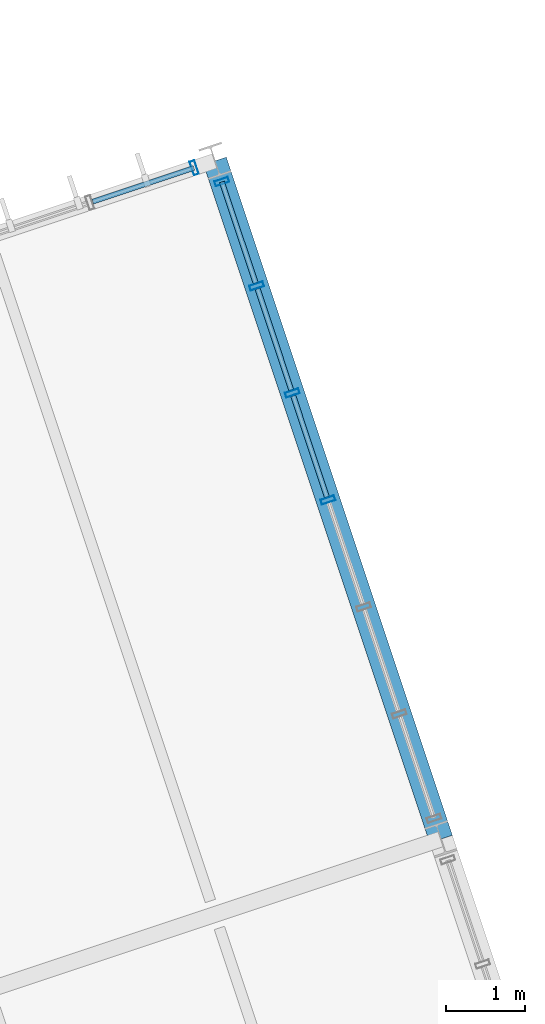
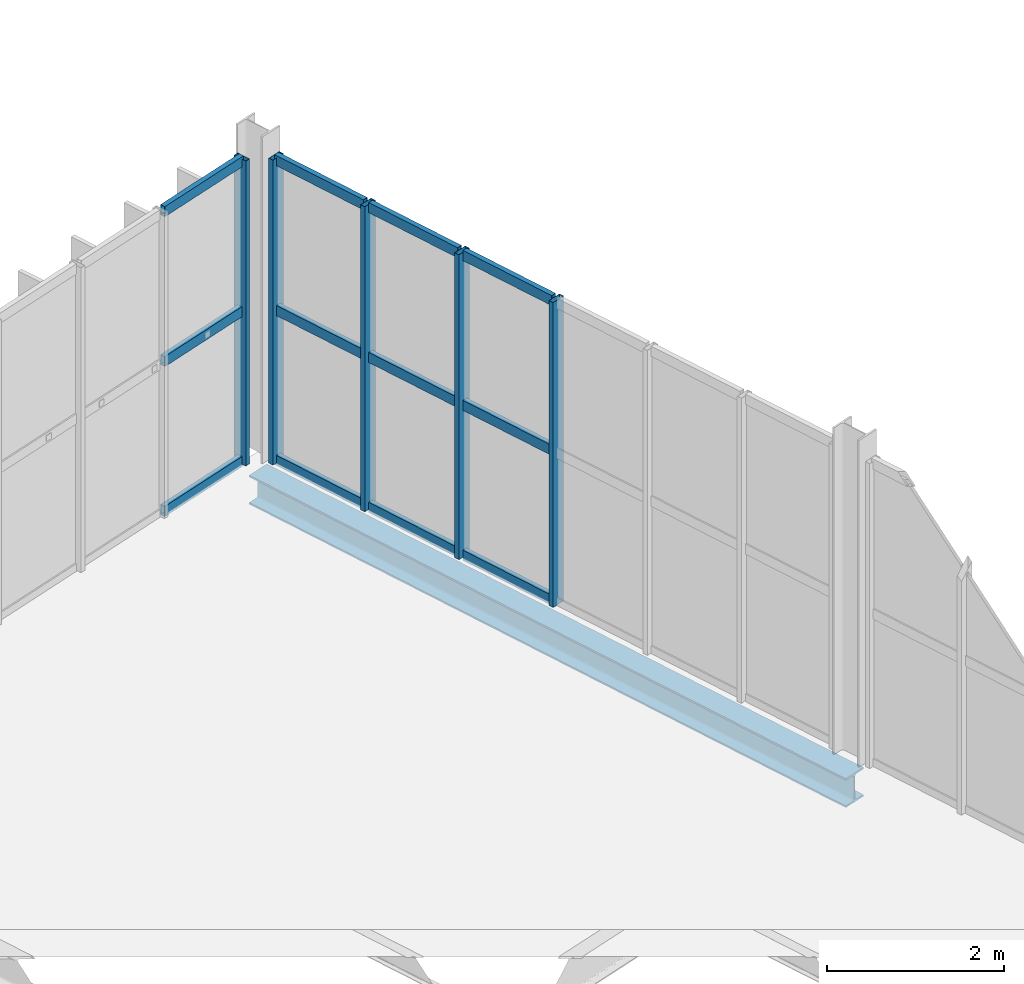
# One storey, part 93 of 152: 17 members, 1 beam, 2 elements without a shape of their own.
"""IFC4 building model written with IfcOpenShell, lengths in metres."""

from ifc_helpers import new_model, si_unit, derived_unit, direction, frame, origin, origin_2d, place, context, subcontext, project, spatial, hollow_rectangle, i_section, extrude, material, material_profile, profile_set, type_object, element, aggregate, save


model = new_model("IFC4")

# Units and contexts
model_context = context("Model", 3, precision=1e-05, world=origin(), true_north=direction((0.0, 1.0)))
body_context = subcontext(model_context, "Body", "Model", "MODEL_VIEW")
ifc_project = project(units=[si_unit("LENGTHUNIT", "METRE"), si_unit("AREAUNIT", "SQUARE_METRE"), si_unit("VOLUMEUNIT", "CUBIC_METRE"), si_unit("PLANEANGLEUNIT", "RADIAN"), si_unit("MASSUNIT", "GRAM", prefix="KILO"), si_unit("THERMODYNAMICTEMPERATUREUNIT", "KELVIN"), si_unit("TIMEUNIT", "SECOND"), derived_unit("THERMALTRANSMITTANCEUNIT", [(si_unit("MASSUNIT", "GRAM", prefix="KILO"), 1), (si_unit("THERMODYNAMICTEMPERATUREUNIT", "KELVIN"), -1), (si_unit("TIMEUNIT", "SECOND"), -3)])], contexts=[model_context])

# Site, building, storey
site_placement = place(None, origin())
site = spatial("IfcSite", under=ifc_project, at=site_placement, CompositionType="ELEMENT")
building_placement = place(site_placement, origin())
building = spatial("IfcBuilding", under=site, at=building_placement, Name="Cambertide Market Hall", CompositionType="ELEMENT")
storey_placement = place(building_placement, frame((0.0, 0.0, 5.39990234375)))
storey = spatial("IfcBuildingStorey", under=building, at=storey_placement, Name="L02", CompositionType="ELEMENT", Elevation=5.39990234375)

# Curtain wall, member
ifc_material_1 = material(Name="Marine Anodized Aluminium 6063-T6 AA25", Category="aluminium")
curtain_wall_type = type_object("IfcCurtainWallType", Name="Food Court Upper Glazed Facade", PredefinedType="USERDEFINED", material=ifc_material_1)
curtain_wall_1_placement = place(storey_placement, origin())
curtain_wall_1 = element("IfcCurtainWall", 1, at=curtain_wall_1_placement, inside=storey, type_object=curtain_wall_type, Name="Level 2 Curtain Wall CW-V3N-L02-7", ObjectType="UNITIZED CURTAIN WALL", PredefinedType="USERDEFINED")
ifc_material_2 = material(Name="Champagne Marine Anodized Aluminium 6063-T6 AA25", Category="aluminium")
ifc_material_profile_1 = material_profile(ifc_material_2, hollow_rectangle(XDim=0.06494140625, YDim=0.179931640625, WallThickness=0.00390625, at=origin_2d()), Name="ALU MULLION 65x180")
ifc_profile_set_1 = profile_set([ifc_material_profile_1], Name="Champagne Marine Anodized Aluminium 6063-T6 AA25")
member_type_1 = type_object("IfcMemberType", Name="Curtain Wall Mullion ALU MULLION 65x180", PredefinedType="MULLION", material=ifc_profile_set_1)
member_1_placement = place(storey_placement, frame((156.968017578125, 57.449951171875, 0.0), z_axis=(0.0, 0.0, 1.0), x_axis=(0.948683286311, 0.316227801236, 0.0)))
member_1 = element("IfcMember", 2, at=member_1_placement, type_object=member_type_1, Name="CW-V3N-L02-7 Mullion 7", PredefinedType="MULLION", context=body_context, shape_type="SweptSolid", body=[
    extrude(hollow_rectangle(XDim=0.06494140625, YDim=0.179931640625, WallThickness=0.00390625, at=origin_2d()), origin(), (0.0, 0.0, 1.0), 4.2001953125),
])

# Curtain wall, members
curtain_wall_2_placement = place(storey_placement, origin())
curtain_wall_2 = element("IfcCurtainWall", 3, at=curtain_wall_2_placement, inside=storey, type_object=curtain_wall_type, Name="Level 2 Curtain Wall CW-V3E-L02-3", ObjectType="UNITIZED CURTAIN WALL", PredefinedType="USERDEFINED")
member_2_placement = place(storey_placement, frame((157.31591796875, 57.27587890625, 0.0), z_axis=(0.0, 0.0, 1.0), x_axis=(0.3162277308, -0.948683309789, 0.0)))
member_2 = element("IfcMember", 4, at=member_2_placement, type_object=member_type_1, Name="CW-V3E-L02-3 Mullion 1", PredefinedType="MULLION", context=body_context, shape_type="SweptSolid", body=[
    extrude(hollow_rectangle(XDim=0.06494140625, YDim=0.179931640625, WallThickness=0.00390625, at=origin_2d()), origin(), (0.0, 0.0, 1.0), 4.2001953125),
])
member_3_placement = place(storey_placement, frame((157.75390625, 55.9619140625, 0.0), z_axis=(0.0, 0.0, 1.0), x_axis=(0.3162277308, -0.948683309789, 0.0)))
member_3 = element("IfcMember", 5, at=member_3_placement, type_object=member_type_1, Name="CW-V3E-L02-3 Mullion 2", PredefinedType="MULLION", context=body_context, shape_type="SweptSolid", body=[
    extrude(hollow_rectangle(XDim=0.06494140625, YDim=0.179931640625, WallThickness=0.00390625, at=origin_2d()), origin(), (0.0, 0.0, 1.0), 4.2001953125),
])
member_4_placement = place(storey_placement, frame((158.202880859375, 54.61474609375, 0.0), z_axis=(0.0, 0.0, 1.0), x_axis=(0.3162277308, -0.948683309789, 0.0)))
member_4 = element("IfcMember", 6, at=member_4_placement, type_object=member_type_1, Name="CW-V3E-L02-3 Mullion 3", PredefinedType="MULLION", context=body_context, shape_type="SweptSolid", body=[
    extrude(hollow_rectangle(XDim=0.06494140625, YDim=0.179931640625, WallThickness=0.00390625, at=origin_2d()), origin(), (0.0, 0.0, 1.0), 4.2001953125),
])
member_5_placement = place(storey_placement, frame((158.65185546875, 53.267822265625, 0.0), z_axis=(0.0, 0.0, 1.0), x_axis=(0.3162277308, -0.948683309789, 0.0)))
member_5 = element("IfcMember", 7, at=member_5_placement, type_object=member_type_1, Name="CW-V3E-L02-3 Mullion 4", PredefinedType="MULLION", context=body_context, shape_type="SweptSolid", body=[
    extrude(hollow_rectangle(XDim=0.06494140625, YDim=0.179931640625, WallThickness=0.00390625, at=origin_2d()), origin(), (0.0, 0.0, 1.0), 4.2001953125),
])

# Member
ifc_material_3 = material(Name="Champagne Marine Anodized Aluminium 6063-T6 AA25", Category="aluminium")
ifc_material_profile_2 = material_profile(ifc_material_3, hollow_rectangle(XDim=0.06494140625, YDim=0.139892578125, WallThickness=0.00341796875, at=origin_2d()), Name="ALU TRANSOM 65x140")
ifc_profile_set_2 = profile_set([ifc_material_profile_2], Name="Champagne Marine Anodized Aluminium 6063-T6 AA25")
member_type_2 = type_object("IfcMemberType", Name="Curtain Wall Transom ALU TRANSOM 65x140", PredefinedType="USERDEFINED", material=ifc_profile_set_2)
member_6_placement = place(storey_placement, frame((155.692138671875, 57.0244140625, 0.03515625), z_axis=(0.948665077442, 0.316282422593, 0.0), x_axis=(-0.316282422593, 0.948665077442, 0.0)))
member_6 = element("IfcMember", 8, at=member_6_placement, type_object=member_type_2, Name="CW-V3N-L02-7 Transom 1-6", ObjectType="TRANSOM", PredefinedType="USERDEFINED", context=body_context, shape_type="SweptSolid", body=[
    extrude(hollow_rectangle(XDim=0.06494140625, YDim=0.139892578125, WallThickness=0.00341796875, at=origin_2d()), origin(), (0.0, 0.0, 1.0), 1.340087890625),
])

member_7_placement = place(storey_placement, frame((155.692138671875, 57.0244140625, 2.10009765625), z_axis=(0.948665077442, 0.316282422593, 0.0), x_axis=(-0.316282422593, 0.948665077442, 0.0)))
member_7 = element("IfcMember", 9, at=member_7_placement, type_object=member_type_2, Name="CW-V3N-L02-7 Transom 2-6", ObjectType="TRANSOM", PredefinedType="USERDEFINED", context=body_context, shape_type="SweptSolid", body=[
    extrude(hollow_rectangle(XDim=0.06494140625, YDim=0.139892578125, WallThickness=0.00341796875, at=origin_2d()), origin(), (0.0, 0.0, 1.0), 1.340087890625),
])

member_8_placement = place(storey_placement, frame((155.692138671875, 57.0244140625, 4.1650390625), z_axis=(0.948665077442, 0.316282422593, 0.0), x_axis=(-0.316282422593, 0.948665077442, 0.0)))
member_8 = element("IfcMember", 10, at=member_8_placement, type_object=member_type_2, Name="CW-V3N-L02-7 Transom 3-6", ObjectType="TRANSOM", PredefinedType="USERDEFINED", context=body_context, shape_type="SweptSolid", body=[
    extrude(hollow_rectangle(XDim=0.06494140625, YDim=0.139892578125, WallThickness=0.00341796875, at=origin_2d()), origin(), (0.0, 0.0, 1.0), 1.340087890625),
])

aggregate(curtain_wall_1, [member_1, member_6, member_7, member_8])

member_9_placement = place(storey_placement, frame((157.3173828125, 57.271240234375, 0.03515625), z_axis=(0.316282422593, -0.948665077442, 0.0), x_axis=(0.948665077442, 0.316282422593, 0.0)))
member_9 = element("IfcMember", 11, at=member_9_placement, type_object=member_type_2, Name="CW-V3E-L02-3 Transom 1-1", ObjectType="TRANSOM", PredefinedType="USERDEFINED", context=body_context, shape_type="SweptSolid", body=[
    extrude(hollow_rectangle(XDim=0.06494140625, YDim=0.139892578125, WallThickness=0.00341796875, at=origin_2d()), origin(), (0.0, 0.0, 1.0), 1.340087890625),
])

member_10_placement = place(storey_placement, frame((157.7666015625, 55.924072265625, 0.03515625), z_axis=(0.316118443418, -0.948719731918, 0.0), x_axis=(0.948719731918, 0.316118443418, 0.0)))
member_10 = element("IfcMember", 12, at=member_10_placement, type_object=member_type_2, Name="CW-V3E-L02-3 Transom 1-2", ObjectType="TRANSOM", PredefinedType="USERDEFINED", context=body_context, shape_type="SweptSolid", body=[
    extrude(hollow_rectangle(XDim=0.06494140625, YDim=0.139892578125, WallThickness=0.00341796875, at=origin_2d()), origin(), (0.0, 0.0, 1.0), 1.33984375),
])

member_11_placement = place(storey_placement, frame((158.215576171875, 54.576904296875, 0.03515625), z_axis=(0.316118443418, -0.948719731918, 0.0), x_axis=(0.948719731918, 0.316118443418, 0.0)))
member_11 = element("IfcMember", 13, at=member_11_placement, type_object=member_type_2, Name="CW-V3E-L02-3 Transom 1-3", ObjectType="TRANSOM", PredefinedType="USERDEFINED", context=body_context, shape_type="SweptSolid", body=[
    extrude(hollow_rectangle(XDim=0.06494140625, YDim=0.139892578125, WallThickness=0.00341796875, at=origin_2d()), origin(), (0.0, 0.0, 1.0), 1.33984375),
])

member_12_placement = place(storey_placement, frame((157.3173828125, 57.271240234375, 2.10009765625), z_axis=(0.316282422593, -0.948665077442, 0.0), x_axis=(0.948665077442, 0.316282422593, 0.0)))
member_12 = element("IfcMember", 14, at=member_12_placement, type_object=member_type_2, Name="CW-V3E-L02-3 Transom 2-1", ObjectType="TRANSOM", PredefinedType="USERDEFINED", context=body_context, shape_type="SweptSolid", body=[
    extrude(hollow_rectangle(XDim=0.06494140625, YDim=0.139892578125, WallThickness=0.00341796875, at=origin_2d()), origin(), (0.0, 0.0, 1.0), 1.340087890625),
])

member_13_placement = place(storey_placement, frame((157.7666015625, 55.924072265625, 2.10009765625), z_axis=(0.316118443418, -0.948719731918, 0.0), x_axis=(0.948719731918, 0.316118443418, 0.0)))
member_13 = element("IfcMember", 15, at=member_13_placement, type_object=member_type_2, Name="CW-V3E-L02-3 Transom 2-2", ObjectType="TRANSOM", PredefinedType="USERDEFINED", context=body_context, shape_type="SweptSolid", body=[
    extrude(hollow_rectangle(XDim=0.06494140625, YDim=0.139892578125, WallThickness=0.00341796875, at=origin_2d()), origin(), (0.0, 0.0, 1.0), 1.33984375),
])

member_14_placement = place(storey_placement, frame((158.215576171875, 54.576904296875, 2.10009765625), z_axis=(0.316118443418, -0.948719731918, 0.0), x_axis=(0.948719731918, 0.316118443418, 0.0)))
member_14 = element("IfcMember", 16, at=member_14_placement, type_object=member_type_2, Name="CW-V3E-L02-3 Transom 2-3", ObjectType="TRANSOM", PredefinedType="USERDEFINED", context=body_context, shape_type="SweptSolid", body=[
    extrude(hollow_rectangle(XDim=0.06494140625, YDim=0.139892578125, WallThickness=0.00341796875, at=origin_2d()), origin(), (0.0, 0.0, 1.0), 1.33984375),
])

member_15_placement = place(storey_placement, frame((157.3173828125, 57.271240234375, 4.1650390625), z_axis=(0.316282422593, -0.948665077442, 0.0), x_axis=(0.948665077442, 0.316282422593, 0.0)))
member_15 = element("IfcMember", 17, at=member_15_placement, type_object=member_type_2, Name="CW-V3E-L02-3 Transom 3-1", ObjectType="TRANSOM", PredefinedType="USERDEFINED", context=body_context, shape_type="SweptSolid", body=[
    extrude(hollow_rectangle(XDim=0.06494140625, YDim=0.139892578125, WallThickness=0.00341796875, at=origin_2d()), origin(), (0.0, 0.0, 1.0), 1.340087890625),
])

member_16_placement = place(storey_placement, frame((157.7666015625, 55.924072265625, 4.1650390625), z_axis=(0.316118443418, -0.948719731918, 0.0), x_axis=(0.948719731918, 0.316118443418, 0.0)))
member_16 = element("IfcMember", 18, at=member_16_placement, type_object=member_type_2, Name="CW-V3E-L02-3 Transom 3-2", ObjectType="TRANSOM", PredefinedType="USERDEFINED", context=body_context, shape_type="SweptSolid", body=[
    extrude(hollow_rectangle(XDim=0.06494140625, YDim=0.139892578125, WallThickness=0.00341796875, at=origin_2d()), origin(), (0.0, 0.0, 1.0), 1.33984375),
])

member_17_placement = place(storey_placement, frame((158.215576171875, 54.576904296875, 4.1650390625), z_axis=(0.316118443418, -0.948719731918, 0.0), x_axis=(0.948719731918, 0.316118443418, 0.0)))
member_17 = element("IfcMember", 19, at=member_17_placement, type_object=member_type_2, Name="CW-V3E-L02-3 Transom 3-3", ObjectType="TRANSOM", PredefinedType="USERDEFINED", context=body_context, shape_type="SweptSolid", body=[
    extrude(hollow_rectangle(XDim=0.06494140625, YDim=0.139892578125, WallThickness=0.00341796875, at=origin_2d()), origin(), (0.0, 0.0, 1.0), 1.33984375),
])

aggregate(curtain_wall_2, [member_2, member_3, member_4, member_5, member_9, member_10, member_11, member_12, member_13, member_14, member_15, member_16, member_17])

# Beam
ifc_material_4 = material(Name="Steel S355", Category="steel")
ifc_material_profile_3 = material_profile(ifc_material_4, i_section(OverallWidth=0.300048828125, OverallDepth=0.39990234375, WebThickness=0.013427734375, FlangeThickness=0.02392578125, FilletRadius=0.027099609375, at=origin_2d()), Name="HEB 400")
ifc_profile_set_3 = profile_set([ifc_material_profile_3], Name="Steel S355")
beam_type = type_object("IfcBeamType", Name="Steel Girder HEB 400", PredefinedType="BEAM", material=ifc_profile_set_3)
beam_placement = place(storey_placement, frame((160.074951171875, 48.99853515625, -0.449951171875), z_axis=(-0.316211490179, 0.948688723175, 0.0), x_axis=(-0.948688723175, -0.316211490179, 0.0)))
element("IfcBeam", 20, at=beam_placement, inside=storey, type_object=beam_type, Name="Level 2 Beam BM-V3V-L02-8-3", PredefinedType="BEAM", context=body_context, shape_type="SweptSolid", body=[
    extrude(i_section(OverallWidth=0.300048828125, OverallDepth=0.39990234375, WebThickness=0.013427734375, FlangeThickness=0.02392578125, FilletRadius=0.027099609375, at=origin_2d()), origin(), (0.0, 0.0, 1.0), 9.000244140625),
])

save(model, "model.ifc")
